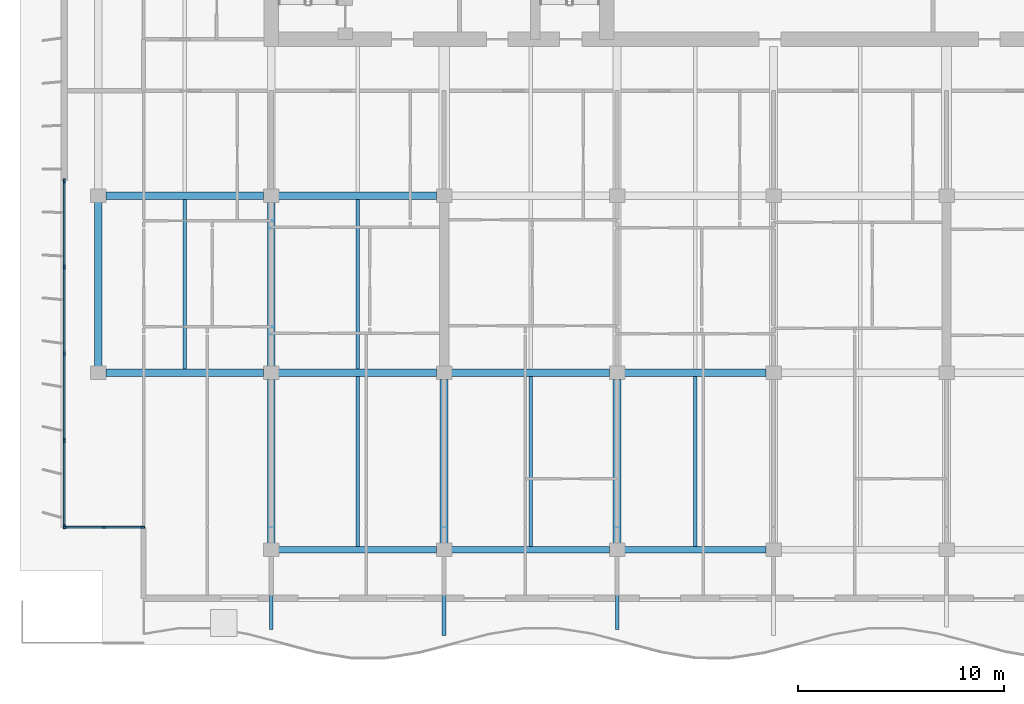
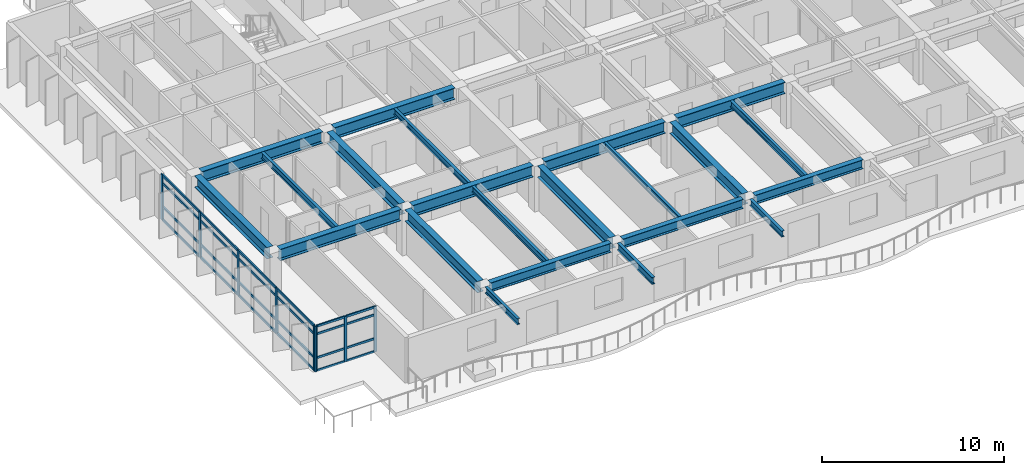
# One storey, part 2 of 17: 32 members, 22 beams, 2 elements without a shape of their own.
"""IFC4 building model written with IfcOpenShell, lengths in metres."""

from ifc_helpers import new_model, si_unit, direction, frame, origin, origin_2d, place, context, subcontext, project, spatial, rectangle, i_section, extrude, material, layer, layer_set, material_profile, profile_set, type_object, element, aggregate, save


model = new_model("IFC4")

# Units and contexts
model_context = context("Model", 3, precision=1e-05, world=origin(), true_north=direction((0.0, 1.0)))
body_context = subcontext(model_context, "Body", "Model", "MODEL_VIEW")
ifc_project = project(units=[si_unit("LENGTHUNIT", "METRE"), si_unit("AREAUNIT", "SQUARE_METRE"), si_unit("VOLUMEUNIT", "CUBIC_METRE"), si_unit("PLANEANGLEUNIT", "RADIAN"), si_unit("MASSUNIT", "GRAM", prefix="KILO")], contexts=[model_context])

# Site, building, storey
site_placement = place(None, origin())
site = spatial("IfcSite", under=ifc_project, at=site_placement, CompositionType="ELEMENT")
building_placement = place(site_placement, origin())
building = spatial("IfcBuilding", under=site, at=building_placement, Name="Caelmar Bay Residences", CompositionType="ELEMENT")
storey_placement = place(building_placement, frame((0.0, 0.0, 226.5)))
storey = spatial("IfcBuildingStorey", under=building, at=storey_placement, Name="L63", CompositionType="ELEMENT", Elevation=226.5)

# Beams
ifc_material_1 = material(Name="Steel ASTM A992 Grade 50", Category="steel")
ifc_material_profile_1 = material_profile(ifc_material_1, i_section(OverallWidth=0.177978515625, OverallDepth=0.406005859375, WebThickness=0.0078125, FlangeThickness=0.0126953125, FilletRadius=0.0087890625, at=origin_2d()), Name="W16X40")
ifc_profile_set_1 = profile_set([ifc_material_profile_1], Name="Steel ASTM A992 Grade 50")
beam_type_1 = type_object("IfcBeamType", Name="BM-BAL-W16X40", PredefinedType="JOIST", material=ifc_profile_set_1)
for number, where, z_axis, x_axis, name in (
    (1, (22.5, 12.362548828125, 2.846923828125), (0.0, 1.0, 0.0), (-1.0, 0.0, 0.0), "L63 Composite Floor Joist 1"),
    (2, (30.89990234375, 12.362548828125, 2.846923828125), (0.0, 1.0, 0.0), (-1.0, 0.0, 0.0), "L63 Composite Floor Joist 2"),
    (3, (38.89990234375, 12.362548828125, 2.846923828125), (0.0, 1.0, 0.0), (-1.0, 0.0, 0.0), "L63 Composite Floor Joist 3"),
):
    element("IfcBeam", number, at=place(storey_placement, frame(where, z_axis=z_axis, x_axis=x_axis)), inside=storey, type_object=beam_type_1, Name=name, PredefinedType="JOIST", context=body_context, shape_type="SweptSolid", body=[
        extrude(i_section(OverallWidth=0.177978515625, OverallDepth=0.406005859375, WebThickness=0.0078125, FlangeThickness=0.0126953125, FilletRadius=0.0087890625, at=origin_2d()), origin(), (0.0, 0.0, 1.0), 8.2470703125),
    ])
for number, where, z_axis, x_axis, name in (
    (4, (14.10009765625, 20.990478515625, 2.846923828125), (0.0, 1.0, 0.0), (-1.0, 0.0, 0.0), "L63 Composite Floor Joist 6"),
    (5, (22.5, 20.990478515625, 2.846923828125), (0.0, 1.0, 0.0), (-1.0, 0.0, 0.0), "L63 Composite Floor Joist 7"),
):
    element("IfcBeam", number, at=place(storey_placement, frame(where, z_axis=z_axis, x_axis=x_axis)), inside=storey, type_object=beam_type_1, Name=name, PredefinedType="JOIST", context=body_context, shape_type="SweptSolid", body=[
        extrude(i_section(OverallWidth=0.177978515625, OverallDepth=0.406005859375, WebThickness=0.0078125, FlangeThickness=0.0126953125, FilletRadius=0.0087890625, at=origin_2d()), origin(), (0.0, 0.0, 1.0), 8.218994140625),
    ])
for number, where, z_axis, x_axis, name in (
    (6, (18.300048828125, 11.885009765625, 2.846923828125), (0.0, -1.0, 0.0), (1.0, 0.0, 0.0), "L64 South Balcony Cantilever Bracket 1"),
    (7, (35.10009765625, 11.885009765625, 2.846923828125), (0.0, -1.0, 0.0), (1.0, 0.0, 0.0), "L64 South Balcony Cantilever Bracket 3"),
):
    element("IfcBeam", number, at=place(storey_placement, frame(where, z_axis=z_axis, x_axis=x_axis)), inside=storey, type_object=beam_type_1, Name=name, PredefinedType="JOIST", context=body_context, shape_type="SweptSolid", body=[
        extrude(i_section(OverallWidth=0.177978515625, OverallDepth=0.406005859375, WebThickness=0.0078125, FlangeThickness=0.0126953125, FilletRadius=0.0087890625, at=origin_2d()), origin(), (0.0, 0.0, 1.0), 3.55517578125),
    ])
ifc_material_profile_2 = material_profile(ifc_material_1, i_section(OverallWidth=0.193115234375, OverallDepth=0.467041015625, WebThickness=0.011474609375, FlangeThickness=0.01904296875, FilletRadius=0.01025390625, at=origin_2d()), Name="W18X65")
ifc_profile_set_2 = profile_set([ifc_material_profile_2], Name="Steel ASTM A992 Grade 50")
beam_type_2 = type_object("IfcBeamType", Name="BM-BAL-W18X65", PredefinedType="BEAM", material=ifc_profile_set_2)
beam_1_placement = place(storey_placement, frame((26.699951171875, 11.885009765625, 2.81640625), z_axis=(0.0, -1.0, 0.0), x_axis=(1.0, 0.0, 0.0)))
element("IfcBeam", 8, at=beam_1_placement, inside=storey, type_object=beam_type_2, Name="L64 South Balcony Cantilever Bracket 2", PredefinedType="BEAM", context=body_context, shape_type="SweptSolid", body=[
    extrude(i_section(OverallWidth=0.193115234375, OverallDepth=0.467041015625, WebThickness=0.011474609375, FlangeThickness=0.01904296875, FilletRadius=0.01025390625, at=origin_2d()), origin(), (0.0, 0.0, 1.0), 3.85009765625),
])
ifc_material_profile_3 = material_profile(ifc_material_1, i_section(OverallWidth=0.381103515625, OverallDepth=0.77197265625, WebThickness=0.0166015625, FlangeThickness=0.027099609375, FilletRadius=0.0166015625, at=origin_2d()), Name="W30X173")
ifc_profile_set_3 = profile_set([ifc_material_profile_3], Name="Steel ASTM A992 Grade 50")
beam_type_3 = type_object("IfcBeamType", Name="BM-GRD-W30X173", PredefinedType="BEAM", material=ifc_profile_set_3)
beam_2_placement = place(storey_placement, frame((10.264892578125, 20.800048828125, 2.6640625), z_axis=(1.0, 0.0, 0.0), x_axis=(0.0, 1.0, 0.0)))
element("IfcBeam", 9, at=beam_2_placement, inside=storey, type_object=beam_type_3, Name="L63 East-West Girder Y=20.80 (9.9-18.3)", PredefinedType="BEAM", context=body_context, shape_type="SweptSolid", body=[
    extrude(i_section(OverallWidth=0.381103515625, OverallDepth=0.77197265625, WebThickness=0.0166015625, FlangeThickness=0.027099609375, FilletRadius=0.0166015625, at=origin_2d()), origin(), (0.0, 0.0, 1.0), 7.670166015625),
])
beam_3_placement = place(storey_placement, frame((18.6650390625, 20.800048828125, 2.6640625), z_axis=(1.0, 0.0, 0.0), x_axis=(0.0, 1.0, 0.0)))
element("IfcBeam", 10, at=beam_3_placement, inside=storey, type_object=beam_type_3, Name="L63 East-West Girder Y=20.80 (18.3-26.7)", PredefinedType="BEAM", context=body_context, shape_type="SweptSolid", body=[
    extrude(i_section(OverallWidth=0.381103515625, OverallDepth=0.77197265625, WebThickness=0.0166015625, FlangeThickness=0.027099609375, FilletRadius=0.0166015625, at=origin_2d()), origin(), (0.0, 0.0, 1.0), 7.669921875),
])
beam_4_placement = place(storey_placement, frame((27.06494140625, 20.800048828125, 2.6640625), z_axis=(1.0, 0.0, 0.0), x_axis=(0.0, 1.0, 0.0)))
element("IfcBeam", 11, at=beam_4_placement, inside=storey, type_object=beam_type_3, Name="L63 East-West Girder Y=20.80 (26.7-35.1)", PredefinedType="BEAM", context=body_context, shape_type="SweptSolid", body=[
    extrude(i_section(OverallWidth=0.381103515625, OverallDepth=0.77197265625, WebThickness=0.0166015625, FlangeThickness=0.027099609375, FilletRadius=0.0166015625, at=origin_2d()), origin(), (0.0, 0.0, 1.0), 7.670166015625),
])
beam_5_placement = place(storey_placement, frame((35.465087890625, 20.800048828125, 2.6640625), z_axis=(1.0, 0.0, 0.0), x_axis=(0.0, 1.0, 0.0)))
element("IfcBeam", 12, at=beam_5_placement, inside=storey, type_object=beam_type_3, Name="L63 East-West Girder Y=20.80 (35.1-42.7)", PredefinedType="BEAM", context=body_context, shape_type="SweptSolid", body=[
    extrude(i_section(OverallWidth=0.381103515625, OverallDepth=0.77197265625, WebThickness=0.0166015625, FlangeThickness=0.027099609375, FilletRadius=0.0166015625, at=origin_2d()), origin(), (0.0, 0.0, 1.0), 6.869873046875),
])
beam_6_placement = place(storey_placement, frame((10.264892578125, 29.39990234375, 2.6640625), z_axis=(1.0, 0.0, 0.0), x_axis=(0.0, 1.0, 0.0)))
element("IfcBeam", 13, at=beam_6_placement, inside=storey, type_object=beam_type_3, Name="L63 East-West Girder Y=29.40 (9.9-18.3)", PredefinedType="BEAM", context=body_context, shape_type="SweptSolid", body=[
    extrude(i_section(OverallWidth=0.381103515625, OverallDepth=0.77197265625, WebThickness=0.0166015625, FlangeThickness=0.027099609375, FilletRadius=0.0166015625, at=origin_2d()), origin(), (0.0, 0.0, 1.0), 7.670166015625),
])
beam_7_placement = place(storey_placement, frame((18.6650390625, 29.39990234375, 2.6640625), z_axis=(1.0, 0.0, 0.0), x_axis=(0.0, 1.0, 0.0)))
element("IfcBeam", 14, at=beam_7_placement, inside=storey, type_object=beam_type_3, Name="L63 East-West Girder Y=29.40 (18.3-26.7)", PredefinedType="BEAM", context=body_context, shape_type="SweptSolid", body=[
    extrude(i_section(OverallWidth=0.381103515625, OverallDepth=0.77197265625, WebThickness=0.0166015625, FlangeThickness=0.027099609375, FilletRadius=0.0166015625, at=origin_2d()), origin(), (0.0, 0.0, 1.0), 7.669921875),
])
beam_8_placement = place(storey_placement, frame((9.89990234375, 21.114990234375, 2.6640625), z_axis=(0.0, 1.0, 0.0), x_axis=(-1.0, 0.0, 0.0)))
element("IfcBeam", 15, at=beam_8_placement, inside=storey, type_object=beam_type_3, Name="L63 North-South Girder X=9.90 (20.8-29.4)", PredefinedType="BEAM", context=body_context, shape_type="SweptSolid", body=[
    extrude(i_section(OverallWidth=0.381103515625, OverallDepth=0.77197265625, WebThickness=0.0166015625, FlangeThickness=0.027099609375, FilletRadius=0.0166015625, at=origin_2d()), origin(), (0.0, 0.0, 1.0), 7.969970703125),
])
beam_9_placement = place(storey_placement, frame((18.300048828125, 12.514892578125, 2.6640625), z_axis=(0.0, 1.0, 0.0), x_axis=(-1.0, 0.0, 0.0)))
element("IfcBeam", 16, at=beam_9_placement, inside=storey, type_object=beam_type_3, Name="L63 North-South Girder X=18.30 (12.2-20.8)", PredefinedType="BEAM", context=body_context, shape_type="SweptSolid", body=[
    extrude(i_section(OverallWidth=0.381103515625, OverallDepth=0.77197265625, WebThickness=0.0166015625, FlangeThickness=0.027099609375, FilletRadius=0.0166015625, at=origin_2d()), origin(), (0.0, 0.0, 1.0), 7.97021484375),
])
beam_10_placement = place(storey_placement, frame((18.300048828125, 21.114990234375, 2.6640625), z_axis=(0.0, 1.0, 0.0), x_axis=(-1.0, 0.0, 0.0)))
element("IfcBeam", 17, at=beam_10_placement, inside=storey, type_object=beam_type_3, Name="L63 North-South Girder X=18.30 (20.8-29.4)", PredefinedType="BEAM", context=body_context, shape_type="SweptSolid", body=[
    extrude(i_section(OverallWidth=0.381103515625, OverallDepth=0.77197265625, WebThickness=0.0166015625, FlangeThickness=0.027099609375, FilletRadius=0.0166015625, at=origin_2d()), origin(), (0.0, 0.0, 1.0), 7.969970703125),
])
for number, where, z_axis, x_axis, name in (
    (18, (26.699951171875, 12.514892578125, 2.6640625), (0.0, 1.0, 0.0), (-1.0, 0.0, 0.0), "L63 North-South Girder X=26.70 (12.2-20.8)"),
    (19, (35.10009765625, 12.514892578125, 2.6640625), (0.0, 1.0, 0.0), (-1.0, 0.0, 0.0), "L63 North-South Girder X=35.10 (12.2-20.8)"),
):
    element("IfcBeam", number, at=place(storey_placement, frame(where, z_axis=z_axis, x_axis=x_axis)), inside=storey, type_object=beam_type_3, Name=name, PredefinedType="BEAM", context=body_context, shape_type="SweptSolid", body=[
        extrude(i_section(OverallWidth=0.381103515625, OverallDepth=0.77197265625, WebThickness=0.0166015625, FlangeThickness=0.027099609375, FilletRadius=0.0166015625, at=origin_2d()), origin(), (0.0, 0.0, 1.0), 7.97021484375),
    ])
ifc_material_profile_4 = material_profile(ifc_material_1, i_section(OverallWidth=0.324951171875, OverallDepth=0.616943359375, WebThickness=0.013916015625, FlangeThickness=0.021484375, FilletRadius=0.0126953125, at=origin_2d()), Name="W24X117")
ifc_profile_set_4 = profile_set([ifc_material_profile_4], Name="Steel ASTM A992 Grade 50")
beam_type_4 = type_object("IfcBeamType", Name="BM-SPN-W24X117", PredefinedType="SPANDREL", material=ifc_profile_set_4)
beam_11_placement = place(storey_placement, frame((18.6650390625, 12.199951171875, 2.741455078125), z_axis=(1.0, 0.0, 0.0), x_axis=(0.0, 1.0, 0.0)))
element("IfcBeam", 20, at=beam_11_placement, inside=storey, type_object=beam_type_4, Name="L63 East-West Girder Y=12.20 (18.3-26.7)", PredefinedType="SPANDREL", context=body_context, shape_type="SweptSolid", body=[
    extrude(i_section(OverallWidth=0.324951171875, OverallDepth=0.616943359375, WebThickness=0.013916015625, FlangeThickness=0.021484375, FilletRadius=0.0126953125, at=origin_2d()), origin(), (0.0, 0.0, 1.0), 7.669921875),
])
beam_12_placement = place(storey_placement, frame((27.06494140625, 12.199951171875, 2.741455078125), z_axis=(1.0, 0.0, 0.0), x_axis=(0.0, 1.0, 0.0)))
element("IfcBeam", 21, at=beam_12_placement, inside=storey, type_object=beam_type_4, Name="L63 East-West Girder Y=12.20 (26.7-35.1)", PredefinedType="SPANDREL", context=body_context, shape_type="SweptSolid", body=[
    extrude(i_section(OverallWidth=0.324951171875, OverallDepth=0.616943359375, WebThickness=0.013916015625, FlangeThickness=0.021484375, FilletRadius=0.0126953125, at=origin_2d()), origin(), (0.0, 0.0, 1.0), 7.670166015625),
])
beam_13_placement = place(storey_placement, frame((35.465087890625, 12.199951171875, 2.741455078125), z_axis=(1.0, 0.0, 0.0), x_axis=(0.0, 1.0, 0.0)))
element("IfcBeam", 22, at=beam_13_placement, inside=storey, type_object=beam_type_4, Name="L63 East-West Girder Y=12.20 (35.1-42.7)", PredefinedType="SPANDREL", context=body_context, shape_type="SweptSolid", body=[
    extrude(i_section(OverallWidth=0.324951171875, OverallDepth=0.616943359375, WebThickness=0.013916015625, FlangeThickness=0.021484375, FilletRadius=0.0126953125, at=origin_2d()), origin(), (0.0, 0.0, 1.0), 6.869873046875),
])

# Curtain wall, members
ifc_material_2 = material(Name="Anodised bronze aluminium 6063-T6 and laminated glass", Category="aluminium")
ifc_layer_1 = layer(ifc_material_2, 0.179931640625)
ifc_layer_set_1 = layer_set([ifc_layer_1], Name="Anodised bronze aluminium 6063-T6 and laminated glass")
curtain_wall_type_1 = type_object("IfcCurtainWallType", Name="CW6-NTC", PredefinedType="NOTDEFINED", material=ifc_layer_set_1)
curtain_wall_1_placement = place(storey_placement, origin())
curtain_wall_1 = element("IfcCurtainWall", 23, at=curtain_wall_1_placement, inside=storey, type_object=curtain_wall_type_1, Name="CW6 curtain wall L63", PredefinedType="NOTDEFINED")
ifc_material_3 = material(Name="Anodised bronze aluminium 6063-T6", Category="aluminium")
ifc_material_profile_5 = material_profile(ifc_material_3, rectangle(XDim=0.080078125, YDim=0.179931640625, at=origin_2d()), Name="CWM-80X180")
ifc_profile_set_5 = profile_set([ifc_material_profile_5], Name="Anodised bronze aluminium 6063-T6")
member_type_1 = type_object("IfcMemberType", Name="CWM-180", PredefinedType="MULLION", material=ifc_profile_set_5)
member_1_placement = place(storey_placement, frame((8.2900390625, 13.300048828125, 0.0), z_axis=(0.0, 0.0, 1.0), x_axis=(0.0, 1.0, 0.0)))
member_1 = element("IfcMember", 24, at=member_1_placement, type_object=member_type_1, Name="CW6 mullion 1", PredefinedType="MULLION", context=body_context, shape_type="SweptSolid", body=[
    extrude(rectangle(XDim=0.080078125, YDim=0.179931640625, at=origin_2d()), origin(), (0.0, 0.0, 1.0), 3.050048828125),
])
member_2_placement = place(storey_placement, frame((10.175048828125, 13.300048828125, 0.0), z_axis=(0.0, 0.0, 1.0), x_axis=(0.0, 1.0, 0.0)))
member_2 = element("IfcMember", 25, at=member_2_placement, type_object=member_type_1, Name="CW6 mullion 2", PredefinedType="MULLION", context=body_context, shape_type="SweptSolid", body=[
    extrude(rectangle(XDim=0.080078125, YDim=0.179931640625, at=origin_2d()), origin(), (0.0, 0.0, 1.0), 3.050048828125),
])
member_3_placement = place(storey_placement, frame((12.06005859375, 13.300048828125, 0.0), z_axis=(0.0, 0.0, 1.0), x_axis=(0.0, 1.0, 0.0)))
member_3 = element("IfcMember", 26, at=member_3_placement, type_object=member_type_1, Name="CW6 mullion 3", PredefinedType="MULLION", context=body_context, shape_type="SweptSolid", body=[
    extrude(rectangle(XDim=0.080078125, YDim=0.179931640625, at=origin_2d()), origin(), (0.0, 0.0, 1.0), 3.050048828125),
])

ifc_layer_2 = layer(ifc_material_2, 0.179931640625)
ifc_layer_set_2 = layer_set([ifc_layer_2], Name="Anodised bronze aluminium 6063-T6 and laminated glass")
curtain_wall_type_2 = type_object("IfcCurtainWallType", Name="CW5-Z4", PredefinedType="NOTDEFINED", material=ifc_layer_set_2)
curtain_wall_2_placement = place(storey_placement, origin())
curtain_wall_2 = element("IfcCurtainWall", 27, at=curtain_wall_2_placement, inside=storey, type_object=curtain_wall_type_2, Name="CW5 curtain wall L63", PredefinedType="NOTDEFINED")
ifc_material_profile_6 = material_profile(ifc_material_3, rectangle(XDim=0.080078125, YDim=0.219970703125, at=origin_2d()), Name="CWM-80X220")
ifc_profile_set_6 = profile_set([ifc_material_profile_6], Name="Anodised bronze aluminium 6063-T6")
member_type_2 = type_object("IfcMemberType", Name="CWM-220", PredefinedType="MULLION", material=ifc_profile_set_6)
member_4_placement = place(storey_placement, frame((8.25, 13.340087890625, 0.0), z_axis=(0.0, 0.0, 1.0), x_axis=(-1.0, 0.0, 0.0)))
member_4 = element("IfcMember", 28, at=member_4_placement, type_object=member_type_2, Name="CW5 mullion 1", PredefinedType="MULLION", context=body_context, shape_type="SweptSolid", body=[
    extrude(rectangle(XDim=0.080078125, YDim=0.219970703125, at=origin_2d()), origin(), (0.0, 0.0, 1.0), 3.050048828125),
])
member_5_placement = place(storey_placement, frame((8.25, 17.512451171875, 0.0), z_axis=(0.0, 0.0, 1.0), x_axis=(-1.0, 0.0, 0.0)))
member_5 = element("IfcMember", 29, at=member_5_placement, type_object=member_type_2, Name="CW5 mullion 2", PredefinedType="MULLION", context=body_context, shape_type="SweptSolid", body=[
    extrude(rectangle(XDim=0.080078125, YDim=0.219970703125, at=origin_2d()), origin(), (0.0, 0.0, 1.0), 3.050048828125),
])
member_6_placement = place(storey_placement, frame((8.25, 21.72509765625, 0.0), z_axis=(0.0, 0.0, 1.0), x_axis=(-1.0, 0.0, 0.0)))
member_6 = element("IfcMember", 30, at=member_6_placement, type_object=member_type_2, Name="CW5 mullion 3", PredefinedType="MULLION", context=body_context, shape_type="SweptSolid", body=[
    extrude(rectangle(XDim=0.080078125, YDim=0.219970703125, at=origin_2d()), origin(), (0.0, 0.0, 1.0), 3.050048828125),
])
member_7_placement = place(storey_placement, frame((8.25, 25.9375, 0.0), z_axis=(0.0, 0.0, 1.0), x_axis=(-1.0, 0.0, 0.0)))
member_7 = element("IfcMember", 31, at=member_7_placement, type_object=member_type_2, Name="CW5 mullion 4", PredefinedType="MULLION", context=body_context, shape_type="SweptSolid", body=[
    extrude(rectangle(XDim=0.080078125, YDim=0.219970703125, at=origin_2d()), origin(), (0.0, 0.0, 1.0), 3.050048828125),
])
member_8_placement = place(storey_placement, frame((8.25, 30.110107421875, 0.0), z_axis=(0.0, 0.0, 1.0), x_axis=(-1.0, 0.0, 0.0)))
member_8 = element("IfcMember", 32, at=member_8_placement, type_object=member_type_2, Name="CW5 mullion 5", PredefinedType="MULLION", context=body_context, shape_type="SweptSolid", body=[
    extrude(rectangle(XDim=0.080078125, YDim=0.219970703125, at=origin_2d()), origin(), (0.0, 0.0, 1.0), 3.050048828125),
])

# Member
ifc_material_profile_7 = material_profile(ifc_material_3, rectangle(XDim=0.080078125, YDim=0.139892578125, at=origin_2d()), Name="CWT-80X140")
ifc_profile_set_7 = profile_set([ifc_material_profile_7], Name="Anodised bronze aluminium 6063-T6")
member_type_3 = type_object("IfcMemberType", Name="CWT-140", PredefinedType="NOTDEFINED", material=ifc_profile_set_7)
member_9_placement = place(storey_placement, frame((8.330078125, 13.300048828125, 0.0400390625), z_axis=(1.0, 0.0, 0.0), x_axis=(0.0, 1.0, 0.0)))
member_9 = element("IfcMember", 33, at=member_9_placement, type_object=member_type_3, Name="CW6 transom 1.1", ObjectType="TRANSOM", PredefinedType="USERDEFINED", context=body_context, shape_type="SweptSolid", body=[
    extrude(rectangle(XDim=0.080078125, YDim=0.139892578125, at=origin_2d()), origin(), (0.0, 0.0, 1.0), 1.804931640625),
])

member_10_placement = place(storey_placement, frame((8.330078125, 13.300048828125, 0.89990234375), z_axis=(1.0, 0.0, 0.0), x_axis=(0.0, 1.0, 0.0)))
member_10 = element("IfcMember", 34, at=member_10_placement, type_object=member_type_3, Name="CW6 transom 1.2", ObjectType="TRANSOM", PredefinedType="USERDEFINED", context=body_context, shape_type="SweptSolid", body=[
    extrude(rectangle(XDim=0.080078125, YDim=0.139892578125, at=origin_2d()), origin(), (0.0, 0.0, 1.0), 1.804931640625),
])

member_11_placement = place(storey_placement, frame((8.330078125, 13.300048828125, 2.5), z_axis=(1.0, 0.0, 0.0), x_axis=(0.0, 1.0, 0.0)))
member_11 = element("IfcMember", 35, at=member_11_placement, type_object=member_type_3, Name="CW6 transom 1.3", ObjectType="TRANSOM", PredefinedType="USERDEFINED", context=body_context, shape_type="SweptSolid", body=[
    extrude(rectangle(XDim=0.080078125, YDim=0.139892578125, at=origin_2d()), origin(), (0.0, 0.0, 1.0), 1.804931640625),
])

member_12_placement = place(storey_placement, frame((8.330078125, 13.300048828125, 3.010009765625), z_axis=(1.0, 0.0, 0.0), x_axis=(0.0, 1.0, 0.0)))
member_12 = element("IfcMember", 36, at=member_12_placement, type_object=member_type_3, Name="CW6 transom 1.4", ObjectType="TRANSOM", PredefinedType="USERDEFINED", context=body_context, shape_type="SweptSolid", body=[
    extrude(rectangle(XDim=0.080078125, YDim=0.139892578125, at=origin_2d()), origin(), (0.0, 0.0, 1.0), 1.804931640625),
])

member_13_placement = place(storey_placement, frame((10.215087890625, 13.300048828125, 0.0400390625), z_axis=(1.0, 0.0, 0.0), x_axis=(0.0, 1.0, 0.0)))
member_13 = element("IfcMember", 37, at=member_13_placement, type_object=member_type_3, Name="CW6 transom 2.1", ObjectType="TRANSOM", PredefinedType="USERDEFINED", context=body_context, shape_type="SweptSolid", body=[
    extrude(rectangle(XDim=0.080078125, YDim=0.139892578125, at=origin_2d()), origin(), (0.0, 0.0, 1.0), 1.804931640625),
])

member_14_placement = place(storey_placement, frame((10.215087890625, 13.300048828125, 0.89990234375), z_axis=(1.0, 0.0, 0.0), x_axis=(0.0, 1.0, 0.0)))
member_14 = element("IfcMember", 38, at=member_14_placement, type_object=member_type_3, Name="CW6 transom 2.2", ObjectType="TRANSOM", PredefinedType="USERDEFINED", context=body_context, shape_type="SweptSolid", body=[
    extrude(rectangle(XDim=0.080078125, YDim=0.139892578125, at=origin_2d()), origin(), (0.0, 0.0, 1.0), 1.804931640625),
])

member_15_placement = place(storey_placement, frame((10.215087890625, 13.300048828125, 2.5), z_axis=(1.0, 0.0, 0.0), x_axis=(0.0, 1.0, 0.0)))
member_15 = element("IfcMember", 39, at=member_15_placement, type_object=member_type_3, Name="CW6 transom 2.3", ObjectType="TRANSOM", PredefinedType="USERDEFINED", context=body_context, shape_type="SweptSolid", body=[
    extrude(rectangle(XDim=0.080078125, YDim=0.139892578125, at=origin_2d()), origin(), (0.0, 0.0, 1.0), 1.804931640625),
])

member_16_placement = place(storey_placement, frame((10.215087890625, 13.300048828125, 3.010009765625), z_axis=(1.0, 0.0, 0.0), x_axis=(0.0, 1.0, 0.0)))
member_16 = element("IfcMember", 40, at=member_16_placement, type_object=member_type_3, Name="CW6 transom 2.4", ObjectType="TRANSOM", PredefinedType="USERDEFINED", context=body_context, shape_type="SweptSolid", body=[
    extrude(rectangle(XDim=0.080078125, YDim=0.139892578125, at=origin_2d()), origin(), (0.0, 0.0, 1.0), 1.804931640625),
])

aggregate(curtain_wall_1, [member_1, member_2, member_3, member_9, member_10, member_11, member_12, member_13, member_14, member_15, member_16])

ifc_material_profile_8 = material_profile(ifc_material_3, rectangle(XDim=0.080078125, YDim=0.159912109375, at=origin_2d()), Name="CWT-80X160")
ifc_profile_set_8 = profile_set([ifc_material_profile_8], Name="Anodised bronze aluminium 6063-T6")
member_type_4 = type_object("IfcMemberType", Name="CWT-160", PredefinedType="NOTDEFINED", material=ifc_profile_set_8)
member_17_placement = place(storey_placement, frame((8.25, 13.3798828125, 0.0400390625), z_axis=(0.0, 1.0, 0.0), x_axis=(-1.0, 0.0, 0.0)))
member_17 = element("IfcMember", 41, at=member_17_placement, type_object=member_type_4, Name="CW5 transom 1.1", ObjectType="TRANSOM", PredefinedType="USERDEFINED", context=body_context, shape_type="SweptSolid", body=[
    extrude(rectangle(XDim=0.080078125, YDim=0.159912109375, at=origin_2d()), origin(), (0.0, 0.0, 1.0), 4.092529296875),
])

member_18_placement = place(storey_placement, frame((8.25, 13.3798828125, 0.89990234375), z_axis=(0.0, 1.0, 0.0), x_axis=(-1.0, 0.0, 0.0)))
member_18 = element("IfcMember", 42, at=member_18_placement, type_object=member_type_4, Name="CW5 transom 1.2", ObjectType="TRANSOM", PredefinedType="USERDEFINED", context=body_context, shape_type="SweptSolid", body=[
    extrude(rectangle(XDim=0.080078125, YDim=0.159912109375, at=origin_2d()), origin(), (0.0, 0.0, 1.0), 4.092529296875),
])

member_19_placement = place(storey_placement, frame((8.25, 13.3798828125, 2.5), z_axis=(0.0, 1.0, 0.0), x_axis=(-1.0, 0.0, 0.0)))
member_19 = element("IfcMember", 43, at=member_19_placement, type_object=member_type_4, Name="CW5 transom 1.3", ObjectType="TRANSOM", PredefinedType="USERDEFINED", context=body_context, shape_type="SweptSolid", body=[
    extrude(rectangle(XDim=0.080078125, YDim=0.159912109375, at=origin_2d()), origin(), (0.0, 0.0, 1.0), 4.092529296875),
])

member_20_placement = place(storey_placement, frame((8.25, 13.3798828125, 3.010009765625), z_axis=(0.0, 1.0, 0.0), x_axis=(-1.0, 0.0, 0.0)))
member_20 = element("IfcMember", 44, at=member_20_placement, type_object=member_type_4, Name="CW5 transom 1.4", ObjectType="TRANSOM", PredefinedType="USERDEFINED", context=body_context, shape_type="SweptSolid", body=[
    extrude(rectangle(XDim=0.080078125, YDim=0.159912109375, at=origin_2d()), origin(), (0.0, 0.0, 1.0), 4.092529296875),
])

member_21_placement = place(storey_placement, frame((8.25, 17.552490234375, 0.0400390625), z_axis=(0.0, 1.0, 0.0), x_axis=(-1.0, 0.0, 0.0)))
member_21 = element("IfcMember", 45, at=member_21_placement, type_object=member_type_4, Name="CW5 transom 2.1", ObjectType="TRANSOM", PredefinedType="USERDEFINED", context=body_context, shape_type="SweptSolid", body=[
    extrude(rectangle(XDim=0.080078125, YDim=0.159912109375, at=origin_2d()), origin(), (0.0, 0.0, 1.0), 4.132568359375),
])

member_22_placement = place(storey_placement, frame((8.25, 17.552490234375, 0.89990234375), z_axis=(0.0, 1.0, 0.0), x_axis=(-1.0, 0.0, 0.0)))
member_22 = element("IfcMember", 46, at=member_22_placement, type_object=member_type_4, Name="CW5 transom 2.2", ObjectType="TRANSOM", PredefinedType="USERDEFINED", context=body_context, shape_type="SweptSolid", body=[
    extrude(rectangle(XDim=0.080078125, YDim=0.159912109375, at=origin_2d()), origin(), (0.0, 0.0, 1.0), 4.132568359375),
])

member_23_placement = place(storey_placement, frame((8.25, 17.552490234375, 2.5), z_axis=(0.0, 1.0, 0.0), x_axis=(-1.0, 0.0, 0.0)))
member_23 = element("IfcMember", 47, at=member_23_placement, type_object=member_type_4, Name="CW5 transom 2.3", ObjectType="TRANSOM", PredefinedType="USERDEFINED", context=body_context, shape_type="SweptSolid", body=[
    extrude(rectangle(XDim=0.080078125, YDim=0.159912109375, at=origin_2d()), origin(), (0.0, 0.0, 1.0), 4.132568359375),
])

member_24_placement = place(storey_placement, frame((8.25, 17.552490234375, 3.010009765625), z_axis=(0.0, 1.0, 0.0), x_axis=(-1.0, 0.0, 0.0)))
member_24 = element("IfcMember", 48, at=member_24_placement, type_object=member_type_4, Name="CW5 transom 2.4", ObjectType="TRANSOM", PredefinedType="USERDEFINED", context=body_context, shape_type="SweptSolid", body=[
    extrude(rectangle(XDim=0.080078125, YDim=0.159912109375, at=origin_2d()), origin(), (0.0, 0.0, 1.0), 4.132568359375),
])

member_25_placement = place(storey_placement, frame((8.25, 21.764892578125, 0.0400390625), z_axis=(0.0, 1.0, 0.0), x_axis=(-1.0, 0.0, 0.0)))
member_25 = element("IfcMember", 49, at=member_25_placement, type_object=member_type_4, Name="CW5 transom 3.1", ObjectType="TRANSOM", PredefinedType="USERDEFINED", context=body_context, shape_type="SweptSolid", body=[
    extrude(rectangle(XDim=0.080078125, YDim=0.159912109375, at=origin_2d()), origin(), (0.0, 0.0, 1.0), 4.132568359375),
])

member_26_placement = place(storey_placement, frame((8.25, 21.764892578125, 0.89990234375), z_axis=(0.0, 1.0, 0.0), x_axis=(-1.0, 0.0, 0.0)))
member_26 = element("IfcMember", 50, at=member_26_placement, type_object=member_type_4, Name="CW5 transom 3.2", ObjectType="TRANSOM", PredefinedType="USERDEFINED", context=body_context, shape_type="SweptSolid", body=[
    extrude(rectangle(XDim=0.080078125, YDim=0.159912109375, at=origin_2d()), origin(), (0.0, 0.0, 1.0), 4.132568359375),
])

member_27_placement = place(storey_placement, frame((8.25, 21.764892578125, 2.5), z_axis=(0.0, 1.0, 0.0), x_axis=(-1.0, 0.0, 0.0)))
member_27 = element("IfcMember", 51, at=member_27_placement, type_object=member_type_4, Name="CW5 transom 3.3", ObjectType="TRANSOM", PredefinedType="USERDEFINED", context=body_context, shape_type="SweptSolid", body=[
    extrude(rectangle(XDim=0.080078125, YDim=0.159912109375, at=origin_2d()), origin(), (0.0, 0.0, 1.0), 4.132568359375),
])

member_28_placement = place(storey_placement, frame((8.25, 21.764892578125, 3.010009765625), z_axis=(0.0, 1.0, 0.0), x_axis=(-1.0, 0.0, 0.0)))
member_28 = element("IfcMember", 52, at=member_28_placement, type_object=member_type_4, Name="CW5 transom 3.4", ObjectType="TRANSOM", PredefinedType="USERDEFINED", context=body_context, shape_type="SweptSolid", body=[
    extrude(rectangle(XDim=0.080078125, YDim=0.159912109375, at=origin_2d()), origin(), (0.0, 0.0, 1.0), 4.132568359375),
])

member_29_placement = place(storey_placement, frame((8.25, 25.9775390625, 0.0400390625), z_axis=(0.0, 1.0, 0.0), x_axis=(-1.0, 0.0, 0.0)))
member_29 = element("IfcMember", 53, at=member_29_placement, type_object=member_type_4, Name="CW5 transom 4.1", ObjectType="TRANSOM", PredefinedType="USERDEFINED", context=body_context, shape_type="SweptSolid", body=[
    extrude(rectangle(XDim=0.080078125, YDim=0.159912109375, at=origin_2d()), origin(), (0.0, 0.0, 1.0), 4.092529296875),
])

member_30_placement = place(storey_placement, frame((8.25, 25.9775390625, 0.89990234375), z_axis=(0.0, 1.0, 0.0), x_axis=(-1.0, 0.0, 0.0)))
member_30 = element("IfcMember", 54, at=member_30_placement, type_object=member_type_4, Name="CW5 transom 4.2", ObjectType="TRANSOM", PredefinedType="USERDEFINED", context=body_context, shape_type="SweptSolid", body=[
    extrude(rectangle(XDim=0.080078125, YDim=0.159912109375, at=origin_2d()), origin(), (0.0, 0.0, 1.0), 4.092529296875),
])

member_31_placement = place(storey_placement, frame((8.25, 25.9775390625, 2.5), z_axis=(0.0, 1.0, 0.0), x_axis=(-1.0, 0.0, 0.0)))
member_31 = element("IfcMember", 55, at=member_31_placement, type_object=member_type_4, Name="CW5 transom 4.3", ObjectType="TRANSOM", PredefinedType="USERDEFINED", context=body_context, shape_type="SweptSolid", body=[
    extrude(rectangle(XDim=0.080078125, YDim=0.159912109375, at=origin_2d()), origin(), (0.0, 0.0, 1.0), 4.092529296875),
])

member_32_placement = place(storey_placement, frame((8.25, 25.9775390625, 3.010009765625), z_axis=(0.0, 1.0, 0.0), x_axis=(-1.0, 0.0, 0.0)))
member_32 = element("IfcMember", 56, at=member_32_placement, type_object=member_type_4, Name="CW5 transom 4.4", ObjectType="TRANSOM", PredefinedType="USERDEFINED", context=body_context, shape_type="SweptSolid", body=[
    extrude(rectangle(XDim=0.080078125, YDim=0.159912109375, at=origin_2d()), origin(), (0.0, 0.0, 1.0), 4.092529296875),
])

aggregate(curtain_wall_2, [member_4, member_5, member_6, member_7, member_8, member_17, member_18, member_19, member_20, member_21, member_22, member_23, member_24, member_25, member_26, member_27, member_28, member_29, member_30, member_31, member_32])

save(model, "model.ifc")
